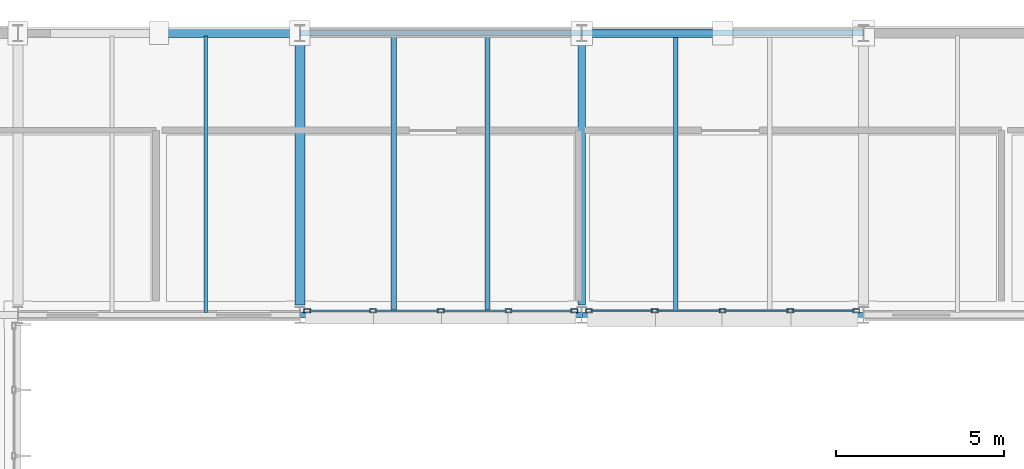
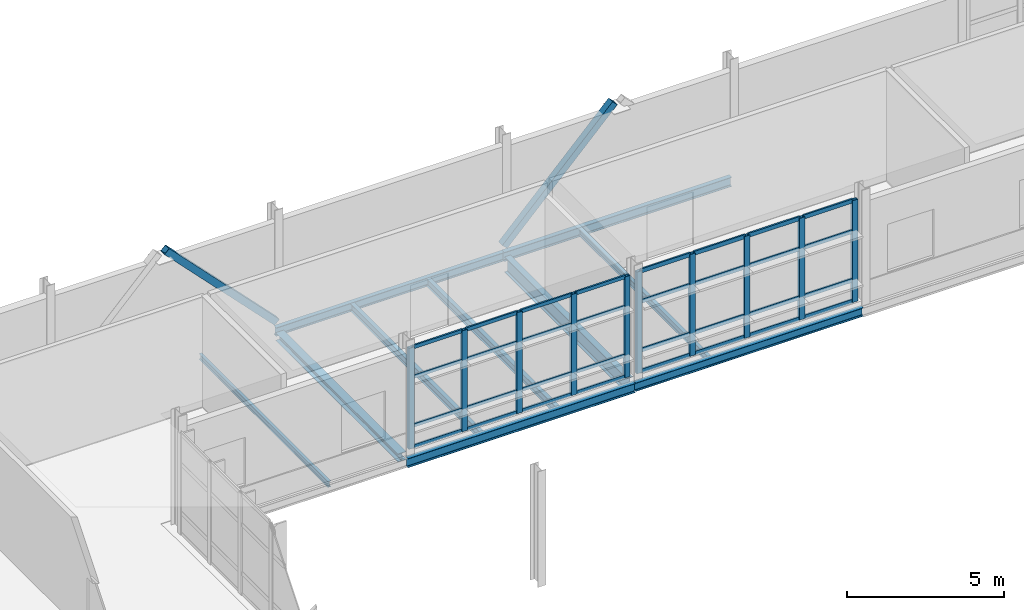
# One storey, part 52 of 129: 44 members, 10 beams, 2 elements without a shape of their own.
"""IFC4 building model written with IfcOpenShell, lengths in metres."""

from ifc_helpers import new_model, si_unit, direction, frame, origin, origin_2d, place, context, subcontext, project, spatial, hollow_rectangle, i_section, extrude, material, material_profile, profile_set, type_object, element, aggregate, save


model = new_model("IFC4")

# Units and contexts
model_context = context("Model", 3, precision=1e-05, world=origin(), true_north=direction((0.0, 1.0)))
body_context = subcontext(model_context, "Body", "Model", "MODEL_VIEW")
ifc_project = project(units=[si_unit("LENGTHUNIT", "METRE"), si_unit("AREAUNIT", "SQUARE_METRE"), si_unit("VOLUMEUNIT", "CUBIC_METRE"), si_unit("PLANEANGLEUNIT", "RADIAN"), si_unit("MASSUNIT", "GRAM", prefix="KILO")], contexts=[model_context])

# Site, building, storey
site_placement = place(None, origin())
site = spatial("IfcSite", under=ifc_project, at=site_placement, CompositionType="ELEMENT")
building_placement = place(site_placement, origin())
building = spatial("IfcBuilding", under=site, at=building_placement, Name="Mersafa Astral City Hall", CompositionType="ELEMENT")
storey_placement = place(building_placement, frame((0.0, 0.0, 5.39990234375)))
storey = spatial("IfcBuildingStorey", under=building, at=storey_placement, Name="L01", CompositionType="ELEMENT", Elevation=5.39990234375)

# Curtain wall, members
ifc_material_1 = material(Name="Anodised bronze aluminium framing", Category="aluminium")
curtain_wall_type_1 = type_object("IfcCurtainWallType", Name="ENV-CW-4", PredefinedType="USERDEFINED", material=ifc_material_1)
curtain_wall_1_placement = place(storey_placement, origin())
curtain_wall_1 = element("IfcCurtainWall", 1, at=curtain_wall_1_placement, inside=storey, type_object=curtain_wall_type_1, Name="L01 Unitised solar curtain wall 87", ObjectType="UNITISED CURTAIN WALL", PredefinedType="USERDEFINED")
ifc_material_profile_1 = material_profile(ifc_material_1, hollow_rectangle(XDim=0.1201171875, YDim=0.199951171875, WallThickness=0.008056640625, at=origin_2d()), Name="RHS 120x200x8")
ifc_profile_set_1 = profile_set([ifc_material_profile_1], Name="Anodised bronze aluminium framing")
member_type_1 = type_object("IfcMemberType", Name="ENV-CW-MUL-2", PredefinedType="MULLION", material=ifc_profile_set_1)
member_1_placement = place(storey_placement, frame((67.422119140625, 117.719970703125, -0.001953125), z_axis=(0.0, 0.0, 1.0), x_axis=(0.0, 1.0, 0.0)))
member_1 = element("IfcMember", 2, at=member_1_placement, type_object=member_type_1, Name="CW-4 mullion 1", PredefinedType="MULLION", context=body_context, shape_type="SweptSolid", body=[
    extrude(hollow_rectangle(XDim=0.1201171875, YDim=0.199951171875, WallThickness=0.008056640625, at=origin_2d()), origin(), (0.0, 0.0, 1.0), 3.93896484375),
])
member_2_placement = place(storey_placement, frame((69.381103515625, 117.719970703125, -0.001953125), z_axis=(0.0, 0.0, 1.0), x_axis=(0.0, 1.0, 0.0)))
member_2 = element("IfcMember", 3, at=member_2_placement, type_object=member_type_1, Name="CW-4 mullion 2", PredefinedType="MULLION", context=body_context, shape_type="SweptSolid", body=[
    extrude(hollow_rectangle(XDim=0.1201171875, YDim=0.199951171875, WallThickness=0.008056640625, at=origin_2d()), origin(), (0.0, 0.0, 1.0), 3.93896484375),
])
member_3_placement = place(storey_placement, frame((71.39990234375, 117.719970703125, -0.001953125), z_axis=(0.0, 0.0, 1.0), x_axis=(0.0, 1.0, 0.0)))
member_3 = element("IfcMember", 4, at=member_3_placement, type_object=member_type_1, Name="CW-4 mullion 3", PredefinedType="MULLION", context=body_context, shape_type="SweptSolid", body=[
    extrude(hollow_rectangle(XDim=0.1201171875, YDim=0.199951171875, WallThickness=0.008056640625, at=origin_2d()), origin(), (0.0, 0.0, 1.0), 3.93896484375),
])
member_4_placement = place(storey_placement, frame((73.4189453125, 117.719970703125, -0.001953125), z_axis=(0.0, 0.0, 1.0), x_axis=(0.0, 1.0, 0.0)))
member_4 = element("IfcMember", 5, at=member_4_placement, type_object=member_type_1, Name="CW-4 mullion 4", PredefinedType="MULLION", context=body_context, shape_type="SweptSolid", body=[
    extrude(hollow_rectangle(XDim=0.1201171875, YDim=0.199951171875, WallThickness=0.008056640625, at=origin_2d()), origin(), (0.0, 0.0, 1.0), 3.93896484375),
])
member_5_placement = place(storey_placement, frame((75.3779296875, 117.719970703125, -0.001953125), z_axis=(0.0, 0.0, 1.0), x_axis=(0.0, 1.0, 0.0)))
member_5 = element("IfcMember", 6, at=member_5_placement, type_object=member_type_1, Name="CW-4 mullion 5", PredefinedType="MULLION", context=body_context, shape_type="SweptSolid", body=[
    extrude(hollow_rectangle(XDim=0.1201171875, YDim=0.199951171875, WallThickness=0.008056640625, at=origin_2d()), origin(), (0.0, 0.0, 1.0), 3.93896484375),
])

curtain_wall_type_2 = type_object("IfcCurtainWallType", Name="ENV-CW-5", PredefinedType="USERDEFINED", material=ifc_material_1)
curtain_wall_2_placement = place(storey_placement, origin())
curtain_wall_2 = element("IfcCurtainWall", 7, at=curtain_wall_2_placement, inside=storey, type_object=curtain_wall_type_2, Name="L01 Unitised solar curtain wall 88", ObjectType="UNITISED CURTAIN WALL", PredefinedType="USERDEFINED")
member_6_placement = place(storey_placement, frame((75.822021484375, 117.719970703125, -0.001953125), z_axis=(0.0, 0.0, 1.0), x_axis=(0.0, 1.0, 0.0)))
member_6 = element("IfcMember", 8, at=member_6_placement, type_object=member_type_1, Name="CW-5 mullion 1", PredefinedType="MULLION", context=body_context, shape_type="SweptSolid", body=[
    extrude(hollow_rectangle(XDim=0.1201171875, YDim=0.199951171875, WallThickness=0.008056640625, at=origin_2d()), origin(), (0.0, 0.0, 1.0), 3.968994140625),
])
member_7_placement = place(storey_placement, frame((77.781005859375, 117.719970703125, -0.001953125), z_axis=(0.0, 0.0, 1.0), x_axis=(0.0, 1.0, 0.0)))
member_7 = element("IfcMember", 9, at=member_7_placement, type_object=member_type_1, Name="CW-5 mullion 2", PredefinedType="MULLION", context=body_context, shape_type="SweptSolid", body=[
    extrude(hollow_rectangle(XDim=0.1201171875, YDim=0.199951171875, WallThickness=0.008056640625, at=origin_2d()), origin(), (0.0, 0.0, 1.0), 3.968994140625),
])
member_8_placement = place(storey_placement, frame((79.800048828125, 117.719970703125, -0.001953125), z_axis=(0.0, 0.0, 1.0), x_axis=(0.0, 1.0, 0.0)))
member_8 = element("IfcMember", 10, at=member_8_placement, type_object=member_type_1, Name="CW-5 mullion 3", PredefinedType="MULLION", context=body_context, shape_type="SweptSolid", body=[
    extrude(hollow_rectangle(XDim=0.1201171875, YDim=0.199951171875, WallThickness=0.008056640625, at=origin_2d()), origin(), (0.0, 0.0, 1.0), 3.968994140625),
])
member_9_placement = place(storey_placement, frame((81.819091796875, 117.719970703125, -0.001953125), z_axis=(0.0, 0.0, 1.0), x_axis=(0.0, 1.0, 0.0)))
member_9 = element("IfcMember", 11, at=member_9_placement, type_object=member_type_1, Name="CW-5 mullion 4", PredefinedType="MULLION", context=body_context, shape_type="SweptSolid", body=[
    extrude(hollow_rectangle(XDim=0.1201171875, YDim=0.199951171875, WallThickness=0.008056640625, at=origin_2d()), origin(), (0.0, 0.0, 1.0), 3.968994140625),
])
member_10_placement = place(storey_placement, frame((83.778076171875, 117.719970703125, -0.001953125), z_axis=(0.0, 0.0, 1.0), x_axis=(0.0, 1.0, 0.0)))
member_10 = element("IfcMember", 12, at=member_10_placement, type_object=member_type_1, Name="CW-5 mullion 5", PredefinedType="MULLION", context=body_context, shape_type="SweptSolid", body=[
    extrude(hollow_rectangle(XDim=0.1201171875, YDim=0.199951171875, WallThickness=0.008056640625, at=origin_2d()), origin(), (0.0, 0.0, 1.0), 3.968994140625),
])

# Member
ifc_material_profile_2 = material_profile(ifc_material_1, hollow_rectangle(XDim=0.06005859375, YDim=0.139892578125, WallThickness=0.00390625, at=origin_2d()), Name="RHS 60x140x4")
ifc_profile_set_2 = profile_set([ifc_material_profile_2], Name="Anodised bronze aluminium framing")
member_type_2 = type_object("IfcMemberType", Name="ENV-CW-TRN-1", PredefinedType="USERDEFINED", material=ifc_profile_set_2)
member_11_placement = place(storey_placement, frame((67.48193359375, 117.719970703125, 0.028076171875), z_axis=(1.0, 0.0, 0.0), x_axis=(0.0, 1.0, 0.0)))
member_11 = element("IfcMember", 13, at=member_11_placement, type_object=member_type_2, Name="CW-4 transom 1.1", ObjectType="TRANSOM", PredefinedType="USERDEFINED", context=body_context, shape_type="SweptSolid", body=[
    extrude(hollow_rectangle(XDim=0.06005859375, YDim=0.139892578125, WallThickness=0.00390625, at=origin_2d()), origin(), (0.0, 0.0, 1.0), 1.839111328125),
])

member_12_placement = place(storey_placement, frame((67.48193359375, 117.719970703125, 0.85009765625), z_axis=(1.0, 0.0, 0.0), x_axis=(0.0, 1.0, 0.0)))
member_12 = element("IfcMember", 14, at=member_12_placement, type_object=member_type_2, Name="CW-4 transom 1.2", ObjectType="TRANSOM", PredefinedType="USERDEFINED", context=body_context, shape_type="SweptSolid", body=[
    extrude(hollow_rectangle(XDim=0.06005859375, YDim=0.139892578125, WallThickness=0.00390625, at=origin_2d()), origin(), (0.0, 0.0, 1.0), 1.839111328125),
])

member_13_placement = place(storey_placement, frame((67.48193359375, 117.719970703125, 2.75), z_axis=(1.0, 0.0, 0.0), x_axis=(0.0, 1.0, 0.0)))
member_13 = element("IfcMember", 15, at=member_13_placement, type_object=member_type_2, Name="CW-4 transom 1.3", ObjectType="TRANSOM", PredefinedType="USERDEFINED", context=body_context, shape_type="SweptSolid", body=[
    extrude(hollow_rectangle(XDim=0.06005859375, YDim=0.139892578125, WallThickness=0.00390625, at=origin_2d()), origin(), (0.0, 0.0, 1.0), 1.839111328125),
])

member_14_placement = place(storey_placement, frame((67.48193359375, 117.719970703125, 3.906982421875), z_axis=(1.0, 0.0, 0.0), x_axis=(0.0, 1.0, 0.0)))
member_14 = element("IfcMember", 16, at=member_14_placement, type_object=member_type_2, Name="CW-4 transom 1.4", ObjectType="TRANSOM", PredefinedType="USERDEFINED", context=body_context, shape_type="SweptSolid", body=[
    extrude(hollow_rectangle(XDim=0.06005859375, YDim=0.139892578125, WallThickness=0.00390625, at=origin_2d()), origin(), (0.0, 0.0, 1.0), 1.839111328125),
])

member_15_placement = place(storey_placement, frame((69.44091796875, 117.719970703125, 0.028076171875), z_axis=(1.0, 0.0, 0.0), x_axis=(0.0, 1.0, 0.0)))
member_15 = element("IfcMember", 17, at=member_15_placement, type_object=member_type_2, Name="CW-4 transom 2.1", ObjectType="TRANSOM", PredefinedType="USERDEFINED", context=body_context, shape_type="SweptSolid", body=[
    extrude(hollow_rectangle(XDim=0.06005859375, YDim=0.139892578125, WallThickness=0.00390625, at=origin_2d()), origin(), (0.0, 0.0, 1.0), 1.899169921875),
])

member_16_placement = place(storey_placement, frame((69.44091796875, 117.719970703125, 0.85009765625), z_axis=(1.0, 0.0, 0.0), x_axis=(0.0, 1.0, 0.0)))
member_16 = element("IfcMember", 18, at=member_16_placement, type_object=member_type_2, Name="CW-4 transom 2.2", ObjectType="TRANSOM", PredefinedType="USERDEFINED", context=body_context, shape_type="SweptSolid", body=[
    extrude(hollow_rectangle(XDim=0.06005859375, YDim=0.139892578125, WallThickness=0.00390625, at=origin_2d()), origin(), (0.0, 0.0, 1.0), 1.899169921875),
])

member_17_placement = place(storey_placement, frame((69.44091796875, 117.719970703125, 2.75), z_axis=(1.0, 0.0, 0.0), x_axis=(0.0, 1.0, 0.0)))
member_17 = element("IfcMember", 19, at=member_17_placement, type_object=member_type_2, Name="CW-4 transom 2.3", ObjectType="TRANSOM", PredefinedType="USERDEFINED", context=body_context, shape_type="SweptSolid", body=[
    extrude(hollow_rectangle(XDim=0.06005859375, YDim=0.139892578125, WallThickness=0.00390625, at=origin_2d()), origin(), (0.0, 0.0, 1.0), 1.899169921875),
])

member_18_placement = place(storey_placement, frame((69.44091796875, 117.719970703125, 3.906982421875), z_axis=(1.0, 0.0, 0.0), x_axis=(0.0, 1.0, 0.0)))
member_18 = element("IfcMember", 20, at=member_18_placement, type_object=member_type_2, Name="CW-4 transom 2.4", ObjectType="TRANSOM", PredefinedType="USERDEFINED", context=body_context, shape_type="SweptSolid", body=[
    extrude(hollow_rectangle(XDim=0.06005859375, YDim=0.139892578125, WallThickness=0.00390625, at=origin_2d()), origin(), (0.0, 0.0, 1.0), 1.899169921875),
])

member_19_placement = place(storey_placement, frame((71.4599609375, 117.719970703125, 0.028076171875), z_axis=(1.0, 0.0, 0.0), x_axis=(0.0, 1.0, 0.0)))
member_19 = element("IfcMember", 21, at=member_19_placement, type_object=member_type_2, Name="CW-4 transom 3.1", ObjectType="TRANSOM", PredefinedType="USERDEFINED", context=body_context, shape_type="SweptSolid", body=[
    extrude(hollow_rectangle(XDim=0.06005859375, YDim=0.139892578125, WallThickness=0.00390625, at=origin_2d()), origin(), (0.0, 0.0, 1.0), 1.89892578125),
])

member_20_placement = place(storey_placement, frame((71.4599609375, 117.719970703125, 0.85009765625), z_axis=(1.0, 0.0, 0.0), x_axis=(0.0, 1.0, 0.0)))
member_20 = element("IfcMember", 22, at=member_20_placement, type_object=member_type_2, Name="CW-4 transom 3.2", ObjectType="TRANSOM", PredefinedType="USERDEFINED", context=body_context, shape_type="SweptSolid", body=[
    extrude(hollow_rectangle(XDim=0.06005859375, YDim=0.139892578125, WallThickness=0.00390625, at=origin_2d()), origin(), (0.0, 0.0, 1.0), 1.89892578125),
])

member_21_placement = place(storey_placement, frame((71.4599609375, 117.719970703125, 2.75), z_axis=(1.0, 0.0, 0.0), x_axis=(0.0, 1.0, 0.0)))
member_21 = element("IfcMember", 23, at=member_21_placement, type_object=member_type_2, Name="CW-4 transom 3.3", ObjectType="TRANSOM", PredefinedType="USERDEFINED", context=body_context, shape_type="SweptSolid", body=[
    extrude(hollow_rectangle(XDim=0.06005859375, YDim=0.139892578125, WallThickness=0.00390625, at=origin_2d()), origin(), (0.0, 0.0, 1.0), 1.89892578125),
])

member_22_placement = place(storey_placement, frame((71.4599609375, 117.719970703125, 3.906982421875), z_axis=(1.0, 0.0, 0.0), x_axis=(0.0, 1.0, 0.0)))
member_22 = element("IfcMember", 24, at=member_22_placement, type_object=member_type_2, Name="CW-4 transom 3.4", ObjectType="TRANSOM", PredefinedType="USERDEFINED", context=body_context, shape_type="SweptSolid", body=[
    extrude(hollow_rectangle(XDim=0.06005859375, YDim=0.139892578125, WallThickness=0.00390625, at=origin_2d()), origin(), (0.0, 0.0, 1.0), 1.89892578125),
])

member_23_placement = place(storey_placement, frame((73.47900390625, 117.719970703125, 0.028076171875), z_axis=(1.0, 0.0, 0.0), x_axis=(0.0, 1.0, 0.0)))
member_23 = element("IfcMember", 25, at=member_23_placement, type_object=member_type_2, Name="CW-4 transom 4.1", ObjectType="TRANSOM", PredefinedType="USERDEFINED", context=body_context, shape_type="SweptSolid", body=[
    extrude(hollow_rectangle(XDim=0.06005859375, YDim=0.139892578125, WallThickness=0.00390625, at=origin_2d()), origin(), (0.0, 0.0, 1.0), 1.839111328125),
])

member_24_placement = place(storey_placement, frame((73.47900390625, 117.719970703125, 0.85009765625), z_axis=(1.0, 0.0, 0.0), x_axis=(0.0, 1.0, 0.0)))
member_24 = element("IfcMember", 26, at=member_24_placement, type_object=member_type_2, Name="CW-4 transom 4.2", ObjectType="TRANSOM", PredefinedType="USERDEFINED", context=body_context, shape_type="SweptSolid", body=[
    extrude(hollow_rectangle(XDim=0.06005859375, YDim=0.139892578125, WallThickness=0.00390625, at=origin_2d()), origin(), (0.0, 0.0, 1.0), 1.839111328125),
])

member_25_placement = place(storey_placement, frame((73.47900390625, 117.719970703125, 2.75), z_axis=(1.0, 0.0, 0.0), x_axis=(0.0, 1.0, 0.0)))
member_25 = element("IfcMember", 27, at=member_25_placement, type_object=member_type_2, Name="CW-4 transom 4.3", ObjectType="TRANSOM", PredefinedType="USERDEFINED", context=body_context, shape_type="SweptSolid", body=[
    extrude(hollow_rectangle(XDim=0.06005859375, YDim=0.139892578125, WallThickness=0.00390625, at=origin_2d()), origin(), (0.0, 0.0, 1.0), 1.839111328125),
])

member_26_placement = place(storey_placement, frame((73.47900390625, 117.719970703125, 3.906982421875), z_axis=(1.0, 0.0, 0.0), x_axis=(0.0, 1.0, 0.0)))
member_26 = element("IfcMember", 28, at=member_26_placement, type_object=member_type_2, Name="CW-4 transom 4.4", ObjectType="TRANSOM", PredefinedType="USERDEFINED", context=body_context, shape_type="SweptSolid", body=[
    extrude(hollow_rectangle(XDim=0.06005859375, YDim=0.139892578125, WallThickness=0.00390625, at=origin_2d()), origin(), (0.0, 0.0, 1.0), 1.839111328125),
])

aggregate(curtain_wall_1, [member_1, member_2, member_3, member_4, member_5, member_11, member_12, member_13, member_14, member_15, member_16, member_17, member_18, member_19, member_20, member_21, member_22, member_23, member_24, member_25, member_26])

ifc_material_profile_3 = material_profile(ifc_material_1, hollow_rectangle(XDim=0.06005859375, YDim=0.159912109375, WallThickness=0.00390625, at=origin_2d()), Name="RHS 60x160x4")
ifc_profile_set_3 = profile_set([ifc_material_profile_3], Name="Anodised bronze aluminium framing")
member_type_3 = type_object("IfcMemberType", Name="ENV-CW-TRN-2", PredefinedType="USERDEFINED", material=ifc_profile_set_3)
member_27_placement = place(storey_placement, frame((75.882080078125, 117.719970703125, 0.028076171875), z_axis=(1.0, 0.0, 0.0), x_axis=(0.0, 1.0, 0.0)))
member_27 = element("IfcMember", 29, at=member_27_placement, type_object=member_type_3, Name="CW-5 transom 1.1", ObjectType="TRANSOM", PredefinedType="USERDEFINED", context=body_context, shape_type="SweptSolid", body=[
    extrude(hollow_rectangle(XDim=0.06005859375, YDim=0.159912109375, WallThickness=0.00390625, at=origin_2d()), origin(), (0.0, 0.0, 1.0), 1.8388671875),
])

member_28_placement = place(storey_placement, frame((75.882080078125, 117.719970703125, 0.85009765625), z_axis=(1.0, 0.0, 0.0), x_axis=(0.0, 1.0, 0.0)))
member_28 = element("IfcMember", 30, at=member_28_placement, type_object=member_type_3, Name="CW-5 transom 1.2", ObjectType="TRANSOM", PredefinedType="USERDEFINED", context=body_context, shape_type="SweptSolid", body=[
    extrude(hollow_rectangle(XDim=0.06005859375, YDim=0.159912109375, WallThickness=0.00390625, at=origin_2d()), origin(), (0.0, 0.0, 1.0), 1.8388671875),
])

member_29_placement = place(storey_placement, frame((75.882080078125, 117.719970703125, 2.75), z_axis=(1.0, 0.0, 0.0), x_axis=(0.0, 1.0, 0.0)))
member_29 = element("IfcMember", 31, at=member_29_placement, type_object=member_type_3, Name="CW-5 transom 1.3", ObjectType="TRANSOM", PredefinedType="USERDEFINED", context=body_context, shape_type="SweptSolid", body=[
    extrude(hollow_rectangle(XDim=0.06005859375, YDim=0.159912109375, WallThickness=0.00390625, at=origin_2d()), origin(), (0.0, 0.0, 1.0), 1.8388671875),
])

member_30_placement = place(storey_placement, frame((75.882080078125, 117.719970703125, 3.93701171875), z_axis=(1.0, 0.0, 0.0), x_axis=(0.0, 1.0, 0.0)))
member_30 = element("IfcMember", 32, at=member_30_placement, type_object=member_type_3, Name="CW-5 transom 1.4", ObjectType="TRANSOM", PredefinedType="USERDEFINED", context=body_context, shape_type="SweptSolid", body=[
    extrude(hollow_rectangle(XDim=0.06005859375, YDim=0.159912109375, WallThickness=0.00390625, at=origin_2d()), origin(), (0.0, 0.0, 1.0), 1.8388671875),
])

member_31_placement = place(storey_placement, frame((77.841064453125, 117.719970703125, 0.028076171875), z_axis=(1.0, 0.0, 0.0), x_axis=(0.0, 1.0, 0.0)))
member_31 = element("IfcMember", 33, at=member_31_placement, type_object=member_type_3, Name="CW-5 transom 2.1", ObjectType="TRANSOM", PredefinedType="USERDEFINED", context=body_context, shape_type="SweptSolid", body=[
    extrude(hollow_rectangle(XDim=0.06005859375, YDim=0.159912109375, WallThickness=0.00390625, at=origin_2d()), origin(), (0.0, 0.0, 1.0), 1.89892578125),
])

member_32_placement = place(storey_placement, frame((77.841064453125, 117.719970703125, 0.85009765625), z_axis=(1.0, 0.0, 0.0), x_axis=(0.0, 1.0, 0.0)))
member_32 = element("IfcMember", 34, at=member_32_placement, type_object=member_type_3, Name="CW-5 transom 2.2", ObjectType="TRANSOM", PredefinedType="USERDEFINED", context=body_context, shape_type="SweptSolid", body=[
    extrude(hollow_rectangle(XDim=0.06005859375, YDim=0.159912109375, WallThickness=0.00390625, at=origin_2d()), origin(), (0.0, 0.0, 1.0), 1.89892578125),
])

member_33_placement = place(storey_placement, frame((77.841064453125, 117.719970703125, 2.75), z_axis=(1.0, 0.0, 0.0), x_axis=(0.0, 1.0, 0.0)))
member_33 = element("IfcMember", 35, at=member_33_placement, type_object=member_type_3, Name="CW-5 transom 2.3", ObjectType="TRANSOM", PredefinedType="USERDEFINED", context=body_context, shape_type="SweptSolid", body=[
    extrude(hollow_rectangle(XDim=0.06005859375, YDim=0.159912109375, WallThickness=0.00390625, at=origin_2d()), origin(), (0.0, 0.0, 1.0), 1.89892578125),
])

member_34_placement = place(storey_placement, frame((77.841064453125, 117.719970703125, 3.93701171875), z_axis=(1.0, 0.0, 0.0), x_axis=(0.0, 1.0, 0.0)))
member_34 = element("IfcMember", 36, at=member_34_placement, type_object=member_type_3, Name="CW-5 transom 2.4", ObjectType="TRANSOM", PredefinedType="USERDEFINED", context=body_context, shape_type="SweptSolid", body=[
    extrude(hollow_rectangle(XDim=0.06005859375, YDim=0.159912109375, WallThickness=0.00390625, at=origin_2d()), origin(), (0.0, 0.0, 1.0), 1.89892578125),
])

member_35_placement = place(storey_placement, frame((79.860107421875, 117.719970703125, 0.028076171875), z_axis=(1.0, 0.0, 0.0), x_axis=(0.0, 1.0, 0.0)))
member_35 = element("IfcMember", 37, at=member_35_placement, type_object=member_type_3, Name="CW-5 transom 3.1", ObjectType="TRANSOM", PredefinedType="USERDEFINED", context=body_context, shape_type="SweptSolid", body=[
    extrude(hollow_rectangle(XDim=0.06005859375, YDim=0.159912109375, WallThickness=0.00390625, at=origin_2d()), origin(), (0.0, 0.0, 1.0), 1.89892578125),
])

member_36_placement = place(storey_placement, frame((79.860107421875, 117.719970703125, 0.85009765625), z_axis=(1.0, 0.0, 0.0), x_axis=(0.0, 1.0, 0.0)))
member_36 = element("IfcMember", 38, at=member_36_placement, type_object=member_type_3, Name="CW-5 transom 3.2", ObjectType="TRANSOM", PredefinedType="USERDEFINED", context=body_context, shape_type="SweptSolid", body=[
    extrude(hollow_rectangle(XDim=0.06005859375, YDim=0.159912109375, WallThickness=0.00390625, at=origin_2d()), origin(), (0.0, 0.0, 1.0), 1.89892578125),
])

member_37_placement = place(storey_placement, frame((79.860107421875, 117.719970703125, 2.75), z_axis=(1.0, 0.0, 0.0), x_axis=(0.0, 1.0, 0.0)))
member_37 = element("IfcMember", 39, at=member_37_placement, type_object=member_type_3, Name="CW-5 transom 3.3", ObjectType="TRANSOM", PredefinedType="USERDEFINED", context=body_context, shape_type="SweptSolid", body=[
    extrude(hollow_rectangle(XDim=0.06005859375, YDim=0.159912109375, WallThickness=0.00390625, at=origin_2d()), origin(), (0.0, 0.0, 1.0), 1.89892578125),
])

member_38_placement = place(storey_placement, frame((79.860107421875, 117.719970703125, 3.93701171875), z_axis=(1.0, 0.0, 0.0), x_axis=(0.0, 1.0, 0.0)))
member_38 = element("IfcMember", 40, at=member_38_placement, type_object=member_type_3, Name="CW-5 transom 3.4", ObjectType="TRANSOM", PredefinedType="USERDEFINED", context=body_context, shape_type="SweptSolid", body=[
    extrude(hollow_rectangle(XDim=0.06005859375, YDim=0.159912109375, WallThickness=0.00390625, at=origin_2d()), origin(), (0.0, 0.0, 1.0), 1.89892578125),
])

member_39_placement = place(storey_placement, frame((81.87890625, 117.719970703125, 0.028076171875), z_axis=(1.0, 0.0, 0.0), x_axis=(0.0, 1.0, 0.0)))
member_39 = element("IfcMember", 41, at=member_39_placement, type_object=member_type_3, Name="CW-5 transom 4.1", ObjectType="TRANSOM", PredefinedType="USERDEFINED", context=body_context, shape_type="SweptSolid", body=[
    extrude(hollow_rectangle(XDim=0.06005859375, YDim=0.159912109375, WallThickness=0.00390625, at=origin_2d()), origin(), (0.0, 0.0, 1.0), 1.839111328125),
])

member_40_placement = place(storey_placement, frame((81.87890625, 117.719970703125, 0.85009765625), z_axis=(1.0, 0.0, 0.0), x_axis=(0.0, 1.0, 0.0)))
member_40 = element("IfcMember", 42, at=member_40_placement, type_object=member_type_3, Name="CW-5 transom 4.2", ObjectType="TRANSOM", PredefinedType="USERDEFINED", context=body_context, shape_type="SweptSolid", body=[
    extrude(hollow_rectangle(XDim=0.06005859375, YDim=0.159912109375, WallThickness=0.00390625, at=origin_2d()), origin(), (0.0, 0.0, 1.0), 1.839111328125),
])

member_41_placement = place(storey_placement, frame((81.87890625, 117.719970703125, 2.75), z_axis=(1.0, 0.0, 0.0), x_axis=(0.0, 1.0, 0.0)))
member_41 = element("IfcMember", 43, at=member_41_placement, type_object=member_type_3, Name="CW-5 transom 4.3", ObjectType="TRANSOM", PredefinedType="USERDEFINED", context=body_context, shape_type="SweptSolid", body=[
    extrude(hollow_rectangle(XDim=0.06005859375, YDim=0.159912109375, WallThickness=0.00390625, at=origin_2d()), origin(), (0.0, 0.0, 1.0), 1.839111328125),
])

member_42_placement = place(storey_placement, frame((81.87890625, 117.719970703125, 3.93701171875), z_axis=(1.0, 0.0, 0.0), x_axis=(0.0, 1.0, 0.0)))
member_42 = element("IfcMember", 44, at=member_42_placement, type_object=member_type_3, Name="CW-5 transom 4.4", ObjectType="TRANSOM", PredefinedType="USERDEFINED", context=body_context, shape_type="SweptSolid", body=[
    extrude(hollow_rectangle(XDim=0.06005859375, YDim=0.159912109375, WallThickness=0.00390625, at=origin_2d()), origin(), (0.0, 0.0, 1.0), 1.839111328125),
])

aggregate(curtain_wall_2, [member_6, member_7, member_8, member_9, member_10, member_27, member_28, member_29, member_30, member_31, member_32, member_33, member_34, member_35, member_36, member_37, member_38, member_39, member_40, member_41, member_42])

# Beams
ifc_material_2 = material(Name="Steel S355", Category="steel")
ifc_material_profile_4 = material_profile(ifc_material_2, i_section(OverallWidth=0.300048828125, OverallDepth=0.31005859375, WebThickness=0.009033203125, FlangeThickness=0.015380859375, FilletRadius=0.027099609375, at=origin_2d()), Name="HEA 320")
ifc_profile_set_4 = profile_set([ifc_material_profile_4], Name="Steel S355")
beam_type_1 = type_object("IfcBeamType", Name="STR-BM-HEA320", PredefinedType="BEAM", material=ifc_profile_set_4)
beam_1_placement = place(storey_placement, frame((67.199951171875, 117.89501953125, -0.3798828125), z_axis=(0.0, 1.0, 0.0), x_axis=(-1.0, 0.0, 0.0)))
element("IfcBeam", 45, at=beam_1_placement, inside=storey, type_object=beam_type_1, Name="L01 Primary girder Y 8-14", PredefinedType="BEAM", context=body_context, shape_type="SweptSolid", body=[
    extrude(i_section(OverallWidth=0.300048828125, OverallDepth=0.31005859375, WebThickness=0.009033203125, FlangeThickness=0.015380859375, FilletRadius=0.027099609375, at=origin_2d()), origin(), (0.0, 0.0, 1.0), 7.81005859375),
])
ifc_material_profile_5 = material_profile(ifc_material_2, i_section(OverallWidth=0.219970703125, OverallDepth=0.60009765625, WebThickness=0.011962890625, FlangeThickness=0.01904296875, FilletRadius=0.02392578125, at=origin_2d()), Name="IPE 600")
ifc_profile_set_5 = profile_set([ifc_material_profile_5], Name="Steel S355")
beam_type_2 = type_object("IfcBeamType", Name="STR-BM-IPE600", PredefinedType="BEAM", material=ifc_profile_set_5)
beam_2_placement = place(storey_placement, frame((75.60009765625, 117.89501953125, -0.52490234375), z_axis=(0.0, 1.0, 0.0), x_axis=(-1.0, 0.0, 0.0)))
element("IfcBeam", 46, at=beam_2_placement, inside=storey, type_object=beam_type_2, Name="L01 Primary girder Y 9-14", PredefinedType="BEAM", context=body_context, shape_type="SweptSolid", body=[
    extrude(i_section(OverallWidth=0.219970703125, OverallDepth=0.60009765625, WebThickness=0.011962890625, FlangeThickness=0.01904296875, FilletRadius=0.02392578125, at=origin_2d()), origin(), (0.0, 0.0, 1.0), 7.81005859375),
])
ifc_material_profile_6 = material_profile(ifc_material_2, i_section(OverallWidth=0.110107421875, OverallDepth=0.219970703125, WebThickness=0.005859375, FlangeThickness=0.00927734375, FilletRadius=0.011962890625, at=origin_2d()), Name="IPE 220")
ifc_profile_set_6 = profile_set([ifc_material_profile_6], Name="Steel S355")
beam_type_3 = type_object("IfcBeamType", Name="STR-BM-JOIST-IPE220", PredefinedType="JOIST", material=ifc_profile_set_6)
beam_3_placement = place(storey_placement, frame((64.39990234375, 117.675048828125, -0.3349609375), z_axis=(0.0, 1.0, 0.0), x_axis=(-1.0, 0.0, 0.0)))
element("IfcBeam", 47, at=beam_3_placement, inside=storey, type_object=beam_type_3, Name="L01 Composite secondary floor joist 253", PredefinedType="JOIST", context=body_context, shape_type="SweptSolid", body=[
    extrude(i_section(OverallWidth=0.110107421875, OverallDepth=0.219970703125, WebThickness=0.005859375, FlangeThickness=0.00927734375, FilletRadius=0.011962890625, at=origin_2d()), origin(), (0.0, 0.0, 1.0), 8.244873046875),
])
ifc_material_profile_7 = material_profile(ifc_material_2, i_section(OverallWidth=0.135009765625, OverallDepth=0.27001953125, WebThickness=0.006591796875, FlangeThickness=0.01025390625, FilletRadius=0.014892578125, at=origin_2d()), Name="IPE 270")
ifc_profile_set_7 = profile_set([ifc_material_profile_7], Name="Steel S355")
beam_type_4 = type_object("IfcBeamType", Name="STR-BM-JOIST-IPE270", PredefinedType="JOIST", material=ifc_profile_set_7)
beam_4_placement = place(storey_placement, frame((78.39990234375, 117.675048828125, -0.35986328125), z_axis=(0.0, 1.0, 0.0), x_axis=(-1.0, 0.0, 0.0)))
element("IfcBeam", 48, at=beam_4_placement, inside=storey, type_object=beam_type_4, Name="L01 Composite secondary floor joist 260", PredefinedType="JOIST", context=body_context, shape_type="SweptSolid", body=[
    extrude(i_section(OverallWidth=0.135009765625, OverallDepth=0.27001953125, WebThickness=0.006591796875, FlangeThickness=0.01025390625, FilletRadius=0.014892578125, at=origin_2d()), origin(), (0.0, 0.0, 1.0), 8.244873046875),
])
ifc_material_profile_8 = material_profile(ifc_material_2, i_section(OverallWidth=0.14990234375, OverallDepth=0.300048828125, WebThickness=0.007080078125, FlangeThickness=0.0107421875, FilletRadius=0.014892578125, at=origin_2d()), Name="IPE 300")
ifc_profile_set_8 = profile_set([ifc_material_profile_8], Name="Steel S355")
beam_type_5 = type_object("IfcBeamType", Name="STR-BM-JOIST-IPE300", PredefinedType="JOIST", material=ifc_profile_set_8)
for number, where, z_axis, x_axis, name in (
    (49, (70.0, 117.679931640625, -0.375), (0.0, 1.0, 0.0), (-1.0, 0.0, 0.0), "L01 Composite secondary floor joist 256"),
    (50, (72.800048828125, 117.679931640625, -0.375), (0.0, 1.0, 0.0), (-1.0, 0.0, 0.0), "L01 Composite secondary floor joist 257"),
):
    element("IfcBeam", number, at=place(storey_placement, frame(where, z_axis=z_axis, x_axis=x_axis)), inside=storey, type_object=beam_type_5, Name=name, PredefinedType="JOIST", context=body_context, shape_type="SweptSolid", body=[
        extrude(i_section(OverallWidth=0.14990234375, OverallDepth=0.300048828125, WebThickness=0.007080078125, FlangeThickness=0.0107421875, FilletRadius=0.014892578125, at=origin_2d()), origin(), (0.0, 0.0, 1.0), 8.2451171875),
    ])
ifc_material_profile_9 = material_profile(ifc_material_2, i_section(OverallWidth=0.159912109375, OverallDepth=0.330078125, WebThickness=0.007568359375, FlangeThickness=0.011474609375, FilletRadius=0.01806640625, at=origin_2d()), Name="IPE 330")
ifc_profile_set_9 = profile_set([ifc_material_profile_9], Name="Steel S355")
beam_type_6 = type_object("IfcBeamType", Name="STR-BM-SPANDREL-IPE330", PredefinedType="SPANDREL", material=ifc_profile_set_9)
for number, where, z_axis, x_axis, name in (
    (51, (75.60302734375, 117.60009765625, -0.389892578125), (1.0, 0.0, 0.0), (0.0, 1.0, 0.0), "L01 Primary girder X 9-14"),
    (52, (67.202880859375, 126.0, -0.389892578125), (1.0, 0.0, 0.0), (0.0, 1.0, 0.0), "L01 Primary girder X 8-15"),
):
    element("IfcBeam", number, at=place(storey_placement, frame(where, z_axis=z_axis, x_axis=x_axis)), inside=storey, type_object=beam_type_6, Name=name, PredefinedType="SPANDREL", context=body_context, shape_type="SweptSolid", body=[
        extrude(i_section(OverallWidth=0.159912109375, OverallDepth=0.330078125, WebThickness=0.007568359375, FlangeThickness=0.011474609375, FilletRadius=0.01806640625, at=origin_2d()), origin(), (0.0, 0.0, 1.0), 8.39404296875),
    ])
ifc_material_profile_10 = material_profile(ifc_material_2, i_section(OverallWidth=0.169921875, OverallDepth=0.360107421875, WebThickness=0.008056640625, FlangeThickness=0.0126953125, FilletRadius=0.01806640625, at=origin_2d()), Name="IPE 360")
ifc_profile_set_10 = profile_set([ifc_material_profile_10], Name="Steel S355")
beam_type_7 = type_object("IfcBeamType", Name="STR-BM-SPANDREL-IPE360", PredefinedType="SPANDREL", material=ifc_profile_set_10)
for number, where, z_axis, x_axis, name in (
    (53, (67.202880859375, 117.60009765625, -0.40478515625), (1.0, 0.0, 0.0), (0.0, 1.0, 0.0), "L01 Primary girder X 8-14"),
    (54, (75.60302734375, 126.0, -0.40478515625), (1.0, 0.0, 0.0), (0.0, 1.0, 0.0), "L01 Primary girder X 9-15"),
):
    element("IfcBeam", number, at=place(storey_placement, frame(where, z_axis=z_axis, x_axis=x_axis)), inside=storey, type_object=beam_type_7, Name=name, PredefinedType="SPANDREL", context=body_context, shape_type="SweptSolid", body=[
        extrude(i_section(OverallWidth=0.169921875, OverallDepth=0.360107421875, WebThickness=0.008056640625, FlangeThickness=0.0126953125, FilletRadius=0.01806640625, at=origin_2d()), origin(), (0.0, 0.0, 1.0), 8.39404296875),
    ])

# Members
ifc_material_profile_11 = material_profile(ifc_material_2, hollow_rectangle(XDim=0.25, YDim=0.25, WallThickness=0.012451171875, at=origin_2d()), Name="RHS 250x250x12.5")
ifc_profile_set_11 = profile_set([ifc_material_profile_11], Name="Steel S355")
member_type_4 = type_object("IfcMemberType", Name="STR-MBR-STRUT-RHS250", PredefinedType="BRACE", material=ifc_profile_set_11)
for number, where, z_axis, x_axis, name in (
    (55, (67.201904296875, 126.0, 0.02001953125), (-0.696897735077, 0.0, 0.717170514484), (0.0, -1.0, 0.0), "L01 Chevron lateral brace 3B"),
    (56, (75.597900390625, 126.0, 0.02001953125), (0.696897735077, 0.0, 0.717170514484), (0.0, 1.0, 0.0), "L01 Chevron lateral brace 9A"),
):
    element("IfcMember", number, at=place(storey_placement, frame(where, z_axis=z_axis, x_axis=x_axis)), inside=storey, type_object=member_type_4, Name=name, PredefinedType="BRACE", context=body_context, shape_type="SweptSolid", body=[
        extrude(hollow_rectangle(XDim=0.25, YDim=0.25, WallThickness=0.012451171875, at=origin_2d()), origin(), (0.0, 0.0, 1.0), 5.82861328125),
    ])

save(model, "model.ifc")
